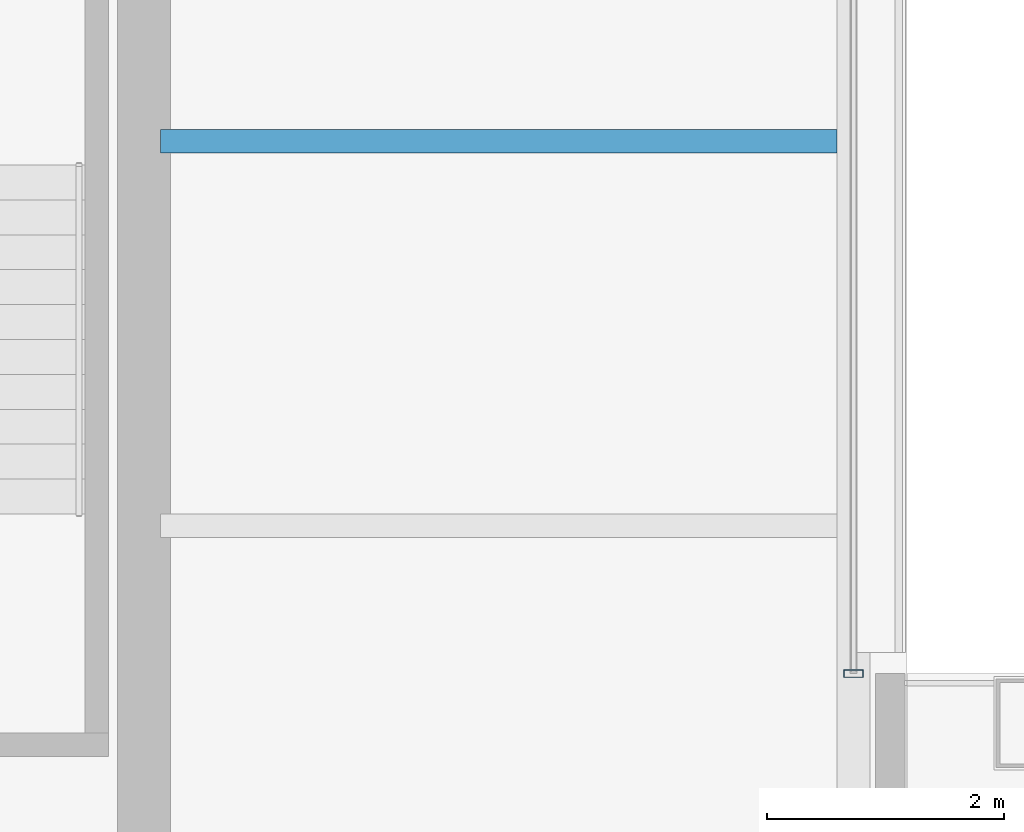
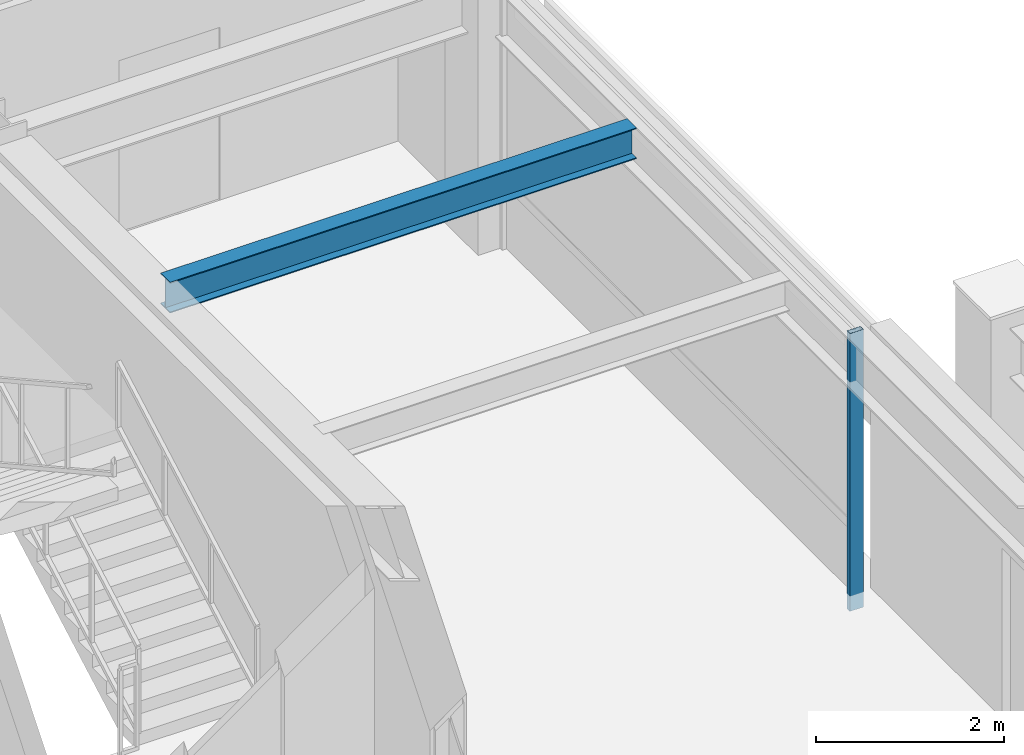
# One storey, part 18 of 33: 1 beam, 1 member, 1 element without a shape of its own.
"""IFC4 building model written with IfcOpenShell, lengths in metres."""

from ifc_helpers import new_model, si_unit, direction, frame, origin, origin_2d, place, context, subcontext, project, spatial, hollow_rectangle, i_section, extrude, material, layer, layer_set, material_profile, profile_set, type_object, element, aggregate, save


model = new_model("IFC4")

# Units and contexts
model_context = context("Model", 3, precision=1e-05, world=origin(), true_north=direction((0.0, 1.0)))
body_context = subcontext(model_context, "Body", "Model", "MODEL_VIEW")
ifc_project = project(units=[si_unit("LENGTHUNIT", "METRE"), si_unit("AREAUNIT", "SQUARE_METRE"), si_unit("VOLUMEUNIT", "CUBIC_METRE"), si_unit("PLANEANGLEUNIT", "RADIAN"), si_unit("MASSUNIT", "GRAM", prefix="KILO")], contexts=[model_context])

# Site, building, storey
site_placement = place(None, origin())
site = spatial("IfcSite", under=ifc_project, at=site_placement, CompositionType="ELEMENT")
building_placement = place(site_placement, origin())
building = spatial("IfcBuilding", under=site, at=building_placement, Name="Brelmoor Portico Tower", CompositionType="ELEMENT")
storey_placement = place(building_placement, frame((0.0, 0.0, 183.89990234375)))
storey = spatial("IfcBuildingStorey", under=building, at=storey_placement, Name="L48", CompositionType="ELEMENT", Elevation=183.89990234375)

# Beam
ifc_material_1 = material(Name="Steel Q355B", Category="steel")
ifc_material_profile_1 = material_profile(ifc_material_1, i_section(OverallWidth=0.199951171875, OverallDepth=0.39990234375, WebThickness=0.008056640625, FlangeThickness=0.012939453125, at=origin_2d()), Name="HN 400x200x8x13")
ifc_profile_set_1 = profile_set([ifc_material_profile_1], Name="Steel Q355B")
beam_type = type_object("IfcBeamType", Name="BM-JS-400", PredefinedType="JOIST", material=ifc_profile_set_1)
beam_placement = place(storey_placement, frame((14.68994140625, 6.5, 3.2001953125), z_axis=(1.0, 0.0, 0.0), x_axis=(0.0, 1.0, 0.0)))
element("IfcBeam", 1, at=beam_placement, inside=storey, type_object=beam_type, Name="L48 Secondary Wing Joist JS-E12", PredefinedType="JOIST", context=body_context, shape_type="SweptSolid", body=[
    extrude(i_section(OverallWidth=0.199951171875, OverallDepth=0.39990234375, WebThickness=0.008056640625, FlangeThickness=0.012939453125, at=origin_2d()), origin(), (0.0, 0.0, 1.0), 5.719970703125),
])

# Curtain wall, member
ifc_material_2 = material(Name="Anodised Aluminium Alloy 6063-T6", Category="aluminium")
ifc_layer = layer(ifc_material_2, 0.179931640625)
ifc_layer_set = layer_set([ifc_layer], Name="Anodised Aluminium Alloy 6063-T6")
curtain_wall_type = type_object("IfcCurtainWallType", Name="CW-TOWER-Z3", PredefinedType="NOTDEFINED", material=ifc_layer_set)
curtain_wall_placement = place(storey_placement, origin())
curtain_wall = element("IfcCurtainWall", 2, at=curtain_wall_placement, inside=storey, type_object=curtain_wall_type, Name="L48 Curtain Wall CW-L48-4R-1", PredefinedType="NOTDEFINED")
ifc_material_profile_2 = material_profile(ifc_material_2, hollow_rectangle(XDim=0.06494140625, YDim=0.1650390625, WallThickness=0.00390625, at=origin_2d()), Name="ALU MULLION 65x165")
ifc_profile_set_2 = profile_set([ifc_material_profile_2], Name="Anodised Aluminium Alloy 6063-T6")
member_type = type_object("IfcMemberType", Name="MB-CW-MULL-165", PredefinedType="MULLION", material=ifc_profile_set_2)
member_placement = place(storey_placement, frame((20.550048828125, 2.0, -0.199951171875), z_axis=(0.0, 0.0, 1.0), x_axis=(0.0, 1.0, 0.0)))
member = element("IfcMember", 3, at=member_placement, type_object=member_type, Name="CW-L48-4R-1 Mullion 00", PredefinedType="MULLION", context=body_context, shape_type="SweptSolid", body=[
    extrude(hollow_rectangle(XDim=0.06494140625, YDim=0.1650390625, WallThickness=0.00390625, at=origin_2d()), origin(), (0.0, 0.0, 1.0), 3.60009765625),
])
aggregate(curtain_wall, [member])

save(model, "model.ifc")
